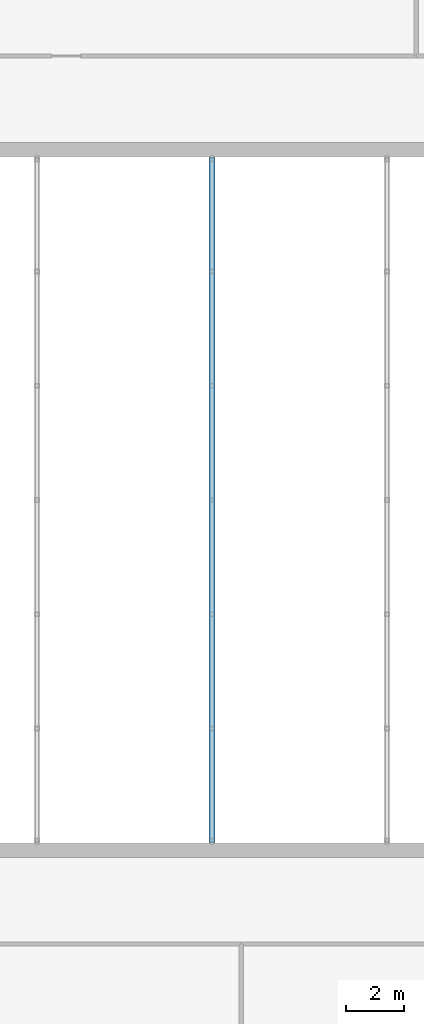
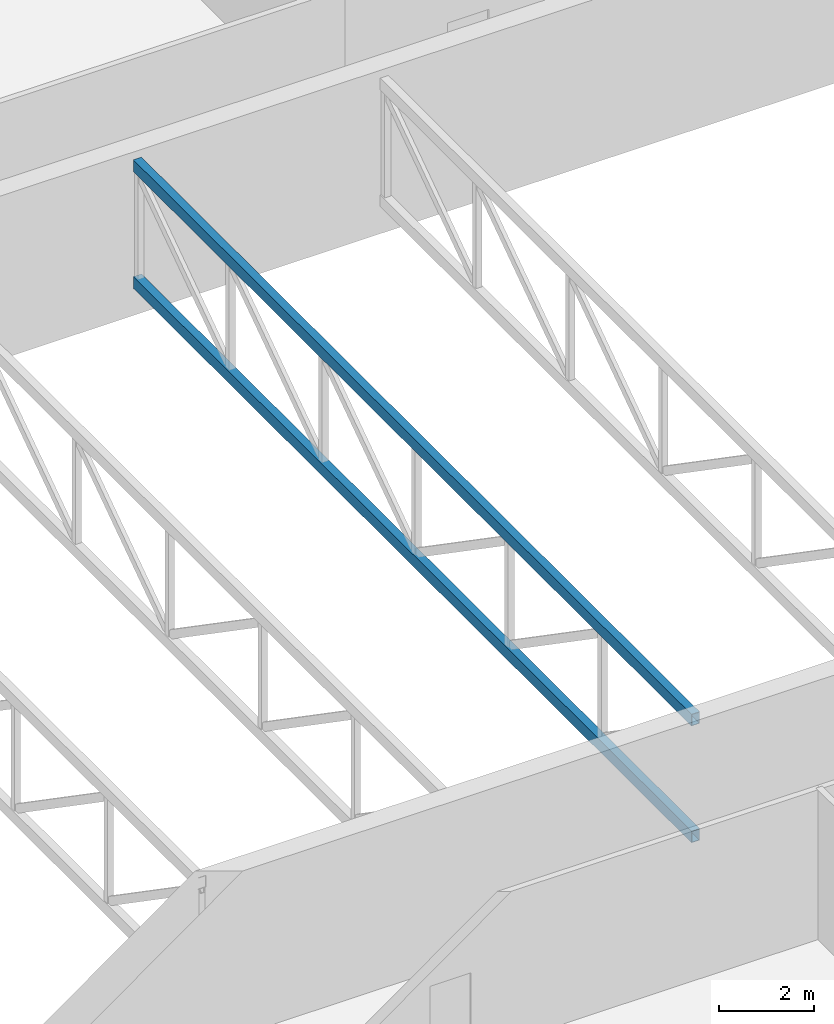
# One storey, part 13 of 47: 2 members.
"""IFC4 building model written with IfcOpenShell, lengths in metres."""

from ifc_helpers import new_model, si_unit, direction, frame, origin, origin_2d, place, context, subcontext, project, spatial, hollow_rectangle, extrude, material, material_profile, profile_set, type_object, element, save


model = new_model("IFC4")

# Units and contexts
model_context = context("Model", 3, precision=1e-05, world=origin(), true_north=direction((0.0, 1.0)))
body_context = subcontext(model_context, "Body", "Model", "MODEL_VIEW")
ifc_project = project(units=[si_unit("LENGTHUNIT", "METRE"), si_unit("AREAUNIT", "SQUARE_METRE"), si_unit("VOLUMEUNIT", "CUBIC_METRE"), si_unit("PLANEANGLEUNIT", "RADIAN"), si_unit("MASSUNIT", "GRAM", prefix="KILO")], contexts=[model_context])

# Site, building, storey
site_placement = place(None, origin())
site = spatial("IfcSite", under=ifc_project, at=site_placement, CompositionType="ELEMENT")
building_placement = place(site_placement, origin())
building = spatial("IfcBuilding", under=site, at=building_placement, Name="Nakaniwa Court", CompositionType="ELEMENT")
storey_placement = place(building_placement, frame((0.0, 0.0, 15.60009765625)))
storey = spatial("IfcBuildingStorey", under=building, at=storey_placement, Name="L03", CompositionType="ELEMENT", Elevation=15.60009765625)

# Members
ifc_material = material(Name="Steel AS/NZS 1163 Grade C350L0", Category="steel")
ifc_material_profile = material_profile(ifc_material, hollow_rectangle(XDim=0.199951171875, YDim=0.300048828125, WallThickness=0.010009765625, at=origin_2d()), Name="RHS 300x200x10")
ifc_profile_set = profile_set([ifc_material_profile], Name="Steel AS/NZS 1163 Grade C350L0")
member_type = type_object("IfcMemberType", Name="Roof truss chord RHS 300x200x10", PredefinedType="CHORD", material=ifc_profile_set)
for number, where, z_axis, x_axis, name in (
    (1, (187.0, 68.25, 3.849853515625), (0.0, 1.0, 0.0), (-1.0, 0.0, 0.0), "Roof truss A3 top chord"),
    (2, (187.0, 68.25, 0.849853515625), (0.0, 1.0, 0.0), (-1.0, 0.0, 0.0), "Roof truss A3 bottom chord"),
):
    element("IfcMember", number, at=place(storey_placement, frame(where, z_axis=z_axis, x_axis=x_axis)), inside=storey, type_object=member_type, Name=name, PredefinedType="CHORD", context=body_context, shape_type="SweptSolid", body=[
        extrude(hollow_rectangle(XDim=0.199951171875, YDim=0.300048828125, WallThickness=0.010009765625, at=origin_2d()), origin(), (0.0, 0.0, 1.0), 23.5),
    ])

save(model, "model.ifc")
